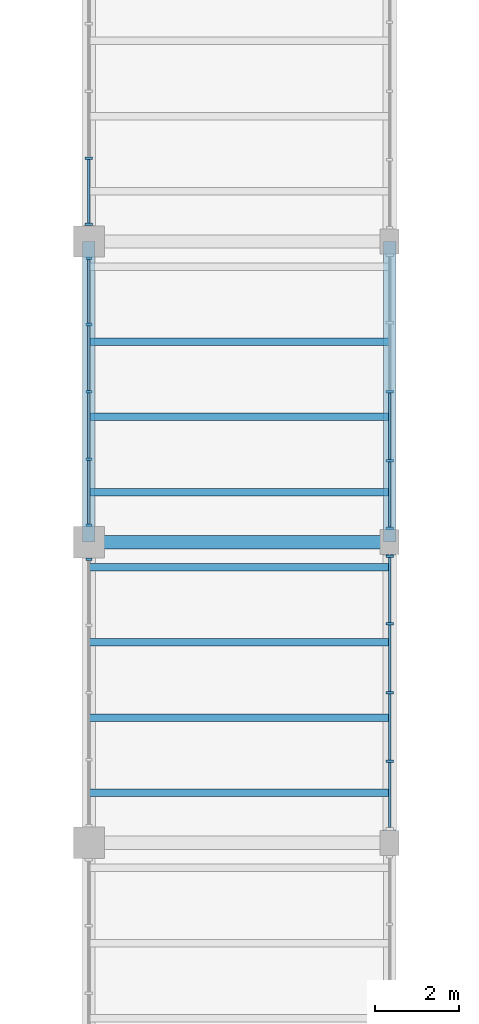
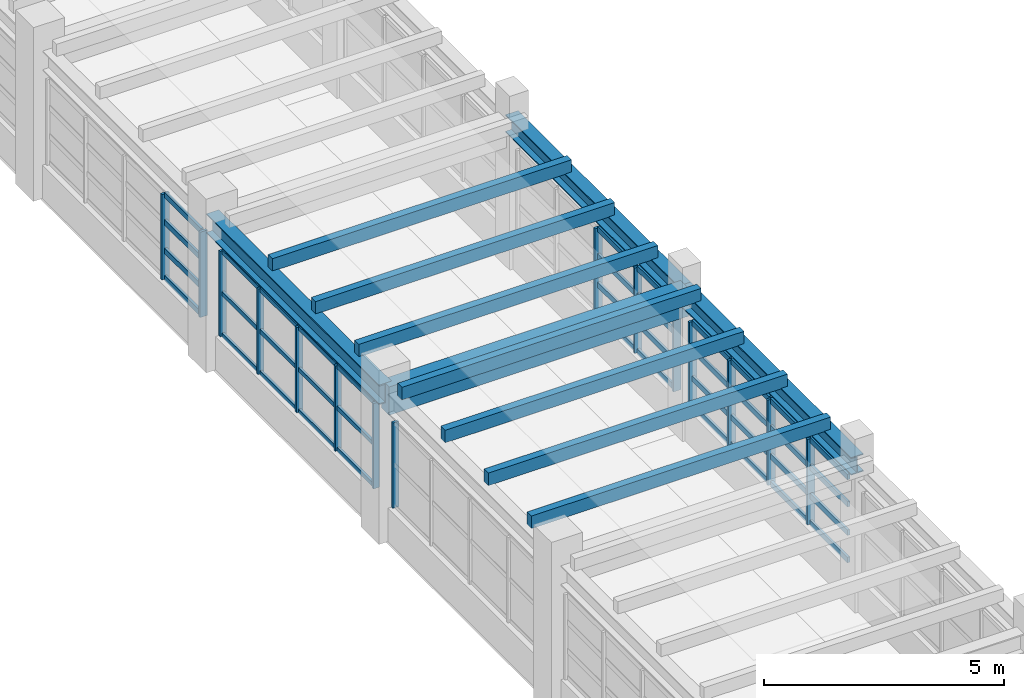
# One storey, part 4 of 69: 62 members, 4 beams, 5 elements without a shape of their own.
"""IFC4 building model written with IfcOpenShell, lengths in metres."""

from ifc_helpers import new_model, si_unit, direction, frame, origin, origin_2d, place, context, subcontext, project, spatial, rectangle, i_section, extrude, material, material_profile, profile_set, type_object, element, aggregate, save


model = new_model("IFC4")

# Units and contexts
model_context = context("Model", 3, precision=1e-05, world=origin(), true_north=direction((0.0, 1.0)))
body_context = subcontext(model_context, "Body", "Model", "MODEL_VIEW")
ifc_project = project(units=[si_unit("LENGTHUNIT", "METRE"), si_unit("AREAUNIT", "SQUARE_METRE"), si_unit("VOLUMEUNIT", "CUBIC_METRE"), si_unit("PLANEANGLEUNIT", "RADIAN"), si_unit("MASSUNIT", "GRAM", prefix="KILO")], contexts=[model_context])

# Site, building, storey
site_placement = place(None, origin())
site = spatial("IfcSite", under=ifc_project, at=site_placement, CompositionType="ELEMENT")
building_placement = place(site_placement, origin())
building = spatial("IfcBuilding", under=site, at=building_placement, Name="Nzembalo Square Collegiate School", CompositionType="ELEMENT")
storey_placement = place(building_placement, frame((0.0, 0.0, 5.10009765625)))
storey = spatial("IfcBuildingStorey", under=building, at=storey_placement, Name="L01", CompositionType="ELEMENT", Elevation=5.10009765625)

# Beams
ifc_material_1 = material(Name="Glulam GL32h", Category="wood")
ifc_material_profile_1 = material_profile(ifc_material_1, rectangle(XDim=0.320068359375, YDim=0.719970703125, at=origin_2d()), Name="GL32h 320x720")
ifc_profile_set_1 = profile_set([ifc_material_profile_1], Name="Glulam GL32h")
beam_type_1 = type_object("IfcBeamType", Name="B03", PredefinedType="BEAM", material=ifc_profile_set_1)
beam_1_placement = place(storey_placement, frame((30.0, 22.800048828125, 3.389892578125), z_axis=(1.0, 0.0, 0.0), x_axis=(0.0, 1.0, 0.0)))
element("IfcBeam", 1, at=beam_1_placement, inside=storey, type_object=beam_type_1, Name="Beam B03 L01", PredefinedType="BEAM", context=body_context, shape_type="SweptSolid", body=[
    extrude(rectangle(XDim=0.320068359375, YDim=0.719970703125, at=origin_2d()), origin(), (0.0, 0.0, 1.0), 7.199951171875),
])
ifc_material_2 = material(Name="Steel S355", Category="steel")
ifc_material_profile_2 = material_profile(ifc_material_2, i_section(OverallWidth=0.300048828125, OverallDepth=0.5, WebThickness=0.014404296875, FlangeThickness=0.028076171875, at=origin_2d()), Name="HEB 500")
ifc_profile_set_2 = profile_set([ifc_material_profile_2], Name="Steel S355")
beam_type_2 = type_object("IfcBeamType", Name="B07", PredefinedType="BEAM", material=ifc_profile_set_2)
beam_2_placement = place(storey_placement, frame((30.0, 22.800048828125, 3.5), z_axis=(0.0, 1.0, 0.0), x_axis=(-1.0, 0.0, 0.0)))
element("IfcBeam", 2, at=beam_2_placement, inside=storey, type_object=beam_type_2, Name="Beam B07 L01", PredefinedType="BEAM", context=body_context, shape_type="SweptSolid", body=[
    extrude(i_section(OverallWidth=0.300048828125, OverallDepth=0.5, WebThickness=0.014404296875, FlangeThickness=0.028076171875, at=origin_2d()), origin(), (0.0, 0.0, 1.0), 7.199951171875),
])
ifc_material_3 = material(Name="Steel S355", Category="steel")
ifc_material_profile_3 = material_profile(ifc_material_3, i_section(OverallWidth=0.300048828125, OverallDepth=0.449951171875, WebThickness=0.013916015625, FlangeThickness=0.02587890625, at=origin_2d()), Name="HEB 450")
ifc_profile_set_3 = profile_set([ifc_material_profile_3], Name="Steel S355")
beam_type_3 = type_object("IfcBeamType", Name="B08", PredefinedType="BEAM", material=ifc_profile_set_3)
for number, where, z_axis, x_axis, name in (
    (3, (37.199951171875, 15.60009765625, 3.52490234375), (0.0, 1.0, 0.0), (-1.0, 0.0, 0.0), "Beam B08 L01"),
    (4, (37.199951171875, 22.800048828125, 3.52490234375), (0.0, 1.0, 0.0), (-1.0, 0.0, 0.0), "Beam B08 L01"),
):
    element("IfcBeam", number, at=place(storey_placement, frame(where, z_axis=z_axis, x_axis=x_axis)), inside=storey, type_object=beam_type_3, Name=name, PredefinedType="BEAM", context=body_context, shape_type="SweptSolid", body=[
        extrude(i_section(OverallWidth=0.300048828125, OverallDepth=0.449951171875, WebThickness=0.013916015625, FlangeThickness=0.02587890625, at=origin_2d()), origin(), (0.0, 0.0, 1.0), 7.199951171875),
    ])

# Curtain wall, members
ifc_material_4 = material(Name="Aluminium 6060-T66", Category="aluminium")
curtain_wall_type_1 = type_object("IfcCurtainWallType", Name="CW-01", PredefinedType="USERDEFINED", material=ifc_material_4)
curtain_wall_1_placement = place(storey_placement, origin())
curtain_wall_1 = element("IfcCurtainWall", 5, at=curtain_wall_1_placement, inside=storey, type_object=curtain_wall_type_1, Name="Curtain wall CW-01 cw:L01:040", ObjectType="UNITISED", PredefinedType="USERDEFINED")
ifc_material_5 = material(Name="Aluminium 6060-T66", Category="aluminium")
ifc_material_profile_4 = material_profile(ifc_material_5, rectangle(XDim=0.06005859375, YDim=0.179931640625, at=origin_2d()), Name="ALU M60x180")
ifc_profile_set_4 = profile_set([ifc_material_profile_4], Name="Aluminium 6060-T66")
member_type_1 = type_object("IfcMemberType", Name="ML01", PredefinedType="MULLION", material=ifc_profile_set_4)
member_1_placement = place(storey_placement, frame((37.199951171875, 17.551025390625, 0.849853515625), z_axis=(0.0, 0.0, 1.0), x_axis=(0.0, 1.0, 0.0)))
member_1 = element("IfcMember", 6, at=member_1_placement, type_object=member_type_1, Name="ML01 mullion 2", PredefinedType="MULLION", context=body_context, shape_type="SweptSolid", body=[
    extrude(rectangle(XDim=0.06005859375, YDim=0.179931640625, at=origin_2d()), origin(), (0.0, 0.0, 1.0), 2.174072265625),
])
member_2_placement = place(storey_placement, frame((37.199951171875, 19.199951171875, 0.849853515625), z_axis=(0.0, 0.0, 1.0), x_axis=(0.0, 1.0, 0.0)))
member_2 = element("IfcMember", 7, at=member_2_placement, type_object=member_type_1, Name="ML01 mullion 3", PredefinedType="MULLION", context=body_context, shape_type="SweptSolid", body=[
    extrude(rectangle(XDim=0.06005859375, YDim=0.179931640625, at=origin_2d()), origin(), (0.0, 0.0, 1.0), 2.174072265625),
])
member_3_placement = place(storey_placement, frame((37.199951171875, 20.84912109375, 0.849853515625), z_axis=(0.0, 0.0, 1.0), x_axis=(0.0, 1.0, 0.0)))
member_3 = element("IfcMember", 8, at=member_3_placement, type_object=member_type_1, Name="ML01 mullion 4", PredefinedType="MULLION", context=body_context, shape_type="SweptSolid", body=[
    extrude(rectangle(XDim=0.06005859375, YDim=0.179931640625, at=origin_2d()), origin(), (0.0, 0.0, 1.0), 2.174072265625),
])
member_4_placement = place(storey_placement, frame((37.199951171875, 22.468017578125, 0.849853515625), z_axis=(0.0, 0.0, 1.0), x_axis=(0.0, 1.0, 0.0)))
member_4 = element("IfcMember", 9, at=member_4_placement, type_object=member_type_1, Name="ML01 mullion 5", PredefinedType="MULLION", context=body_context, shape_type="SweptSolid", body=[
    extrude(rectangle(XDim=0.06005859375, YDim=0.179931640625, at=origin_2d()), origin(), (0.0, 0.0, 1.0), 2.174072265625),
])

ifc_material_6 = material(Name="Aluminium 6060-T66", Category="aluminium")
curtain_wall_type_2 = type_object("IfcCurtainWallType", Name="CW-02", PredefinedType="USERDEFINED", material=ifc_material_6)
curtain_wall_2_placement = place(storey_placement, origin())
curtain_wall_2 = element("IfcCurtainWall", 10, at=curtain_wall_2_placement, inside=storey, type_object=curtain_wall_type_2, Name="Curtain wall CW-02 cw:L01:041", ObjectType="UNITISED", PredefinedType="USERDEFINED")
member_5_placement = place(storey_placement, frame((37.199951171875, 23.132080078125, 0.849853515625), z_axis=(0.0, 0.0, 1.0), x_axis=(0.0, 1.0, 0.0)))
member_5 = element("IfcMember", 11, at=member_5_placement, type_object=member_type_1, Name="ML01 mullion 1", PredefinedType="MULLION", context=body_context, shape_type="SweptSolid", body=[
    extrude(rectangle(XDim=0.06005859375, YDim=0.179931640625, at=origin_2d()), origin(), (0.0, 0.0, 1.0), 2.174072265625),
])
member_6_placement = place(storey_placement, frame((37.199951171875, 24.7509765625, 0.849853515625), z_axis=(0.0, 0.0, 1.0), x_axis=(0.0, 1.0, 0.0)))
member_6 = element("IfcMember", 12, at=member_6_placement, type_object=member_type_1, Name="ML01 mullion 2", PredefinedType="MULLION", context=body_context, shape_type="SweptSolid", body=[
    extrude(rectangle(XDim=0.06005859375, YDim=0.179931640625, at=origin_2d()), origin(), (0.0, 0.0, 1.0), 2.174072265625),
])
member_7_placement = place(storey_placement, frame((37.199951171875, 26.39990234375, 0.849853515625), z_axis=(0.0, 0.0, 1.0), x_axis=(0.0, 1.0, 0.0)))
member_7 = element("IfcMember", 13, at=member_7_placement, type_object=member_type_1, Name="ML01 mullion 3", PredefinedType="MULLION", context=body_context, shape_type="SweptSolid", body=[
    extrude(rectangle(XDim=0.06005859375, YDim=0.179931640625, at=origin_2d()), origin(), (0.0, 0.0, 1.0), 2.174072265625),
])

curtain_wall_3_placement = place(storey_placement, origin())
curtain_wall_3 = element("IfcCurtainWall", 14, at=curtain_wall_3_placement, inside=storey, type_object=curtain_wall_type_1, Name="Curtain wall CW-01 cw:L01:048", ObjectType="UNITISED", PredefinedType="USERDEFINED")
member_8_placement = place(storey_placement, frame((30.0, 30.406982421875, 0.849853515625), z_axis=(0.0, 0.0, 1.0), x_axis=(0.0, 1.0, 0.0)))
member_8 = element("IfcMember", 15, at=member_8_placement, type_object=member_type_1, Name="ML01 mullion 1", PredefinedType="MULLION", context=body_context, shape_type="SweptSolid", body=[
    extrude(rectangle(XDim=0.06005859375, YDim=0.179931640625, at=origin_2d()), origin(), (0.0, 0.0, 1.0), 2.174072265625),
])
member_9_placement = place(storey_placement, frame((30.0, 31.988525390625, 0.849853515625), z_axis=(0.0, 0.0, 1.0), x_axis=(0.0, 1.0, 0.0)))
member_9 = element("IfcMember", 16, at=member_9_placement, type_object=member_type_1, Name="ML01 mullion 2", PredefinedType="MULLION", context=body_context, shape_type="SweptSolid", body=[
    extrude(rectangle(XDim=0.06005859375, YDim=0.179931640625, at=origin_2d()), origin(), (0.0, 0.0, 1.0), 2.174072265625),
])

# Curtain wall, member
ifc_material_7 = material(Name="Aluminium 6060-T66", Category="aluminium")
curtain_wall_type_3 = type_object("IfcCurtainWallType", Name="CW-07", PredefinedType="USERDEFINED", material=ifc_material_7)
curtain_wall_4_placement = place(storey_placement, origin())
curtain_wall_4 = element("IfcCurtainWall", 17, at=curtain_wall_4_placement, inside=storey, type_object=curtain_wall_type_3, Name="Curtain wall CW-07 cw:L01:046", ObjectType="LANCET", PredefinedType="USERDEFINED")
ifc_material_8 = material(Name="Aluminium 6060-T66", Category="aluminium")
ifc_material_profile_5 = material_profile(ifc_material_8, rectangle(XDim=0.06005859375, YDim=0.14990234375, at=origin_2d()), Name="ALU M60x150")
ifc_profile_set_5 = profile_set([ifc_material_profile_5], Name="Aluminium 6060-T66")
member_type_2 = type_object("IfcMemberType", Name="ML02", PredefinedType="MULLION", material=ifc_profile_set_5)
member_10_placement = place(storey_placement, frame((30.0, 22.39306640625, 0.849853515625), z_axis=(0.0, 0.0, 1.0), x_axis=(0.0, 1.0, 0.0)))
member_10 = element("IfcMember", 18, at=member_10_placement, type_object=member_type_2, Name="ML02 mullion 5", PredefinedType="MULLION", context=body_context, shape_type="SweptSolid", body=[
    extrude(rectangle(XDim=0.06005859375, YDim=0.14990234375, at=origin_2d()), origin(), (0.0, 0.0, 1.0), 2.174072265625),
])
aggregate(curtain_wall_4, [member_10])

# Curtain wall, members
ifc_material_9 = material(Name="Aluminium 6060-T66", Category="aluminium")
curtain_wall_type_4 = type_object("IfcCurtainWallType", Name="CW-08", PredefinedType="USERDEFINED", material=ifc_material_9)
curtain_wall_5_placement = place(storey_placement, origin())
curtain_wall_5 = element("IfcCurtainWall", 19, at=curtain_wall_5_placement, inside=storey, type_object=curtain_wall_type_4, Name="Curtain wall CW-08 cw:L01:047", ObjectType="LANCET", PredefinedType="USERDEFINED")
member_11_placement = place(storey_placement, frame((30.0, 23.20703125, 0.849853515625), z_axis=(0.0, 0.0, 1.0), x_axis=(0.0, 1.0, 0.0)))
member_11 = element("IfcMember", 20, at=member_11_placement, type_object=member_type_2, Name="ML02 mullion 1", PredefinedType="MULLION", context=body_context, shape_type="SweptSolid", body=[
    extrude(rectangle(XDim=0.06005859375, YDim=0.14990234375, at=origin_2d()), origin(), (0.0, 0.0, 1.0), 2.174072265625),
])
member_12_placement = place(storey_placement, frame((30.0, 24.78857421875, 0.849853515625), z_axis=(0.0, 0.0, 1.0), x_axis=(0.0, 1.0, 0.0)))
member_12 = element("IfcMember", 21, at=member_12_placement, type_object=member_type_2, Name="ML02 mullion 2", PredefinedType="MULLION", context=body_context, shape_type="SweptSolid", body=[
    extrude(rectangle(XDim=0.06005859375, YDim=0.14990234375, at=origin_2d()), origin(), (0.0, 0.0, 1.0), 2.174072265625),
])
member_13_placement = place(storey_placement, frame((30.0, 26.39990234375, 0.849853515625), z_axis=(0.0, 0.0, 1.0), x_axis=(0.0, 1.0, 0.0)))
member_13 = element("IfcMember", 22, at=member_13_placement, type_object=member_type_2, Name="ML02 mullion 3", PredefinedType="MULLION", context=body_context, shape_type="SweptSolid", body=[
    extrude(rectangle(XDim=0.06005859375, YDim=0.14990234375, at=origin_2d()), origin(), (0.0, 0.0, 1.0), 2.174072265625),
])
member_14_placement = place(storey_placement, frame((30.0, 28.011474609375, 0.849853515625), z_axis=(0.0, 0.0, 1.0), x_axis=(0.0, 1.0, 0.0)))
member_14 = element("IfcMember", 23, at=member_14_placement, type_object=member_type_2, Name="ML02 mullion 4", PredefinedType="MULLION", context=body_context, shape_type="SweptSolid", body=[
    extrude(rectangle(XDim=0.06005859375, YDim=0.14990234375, at=origin_2d()), origin(), (0.0, 0.0, 1.0), 2.174072265625),
])
member_15_placement = place(storey_placement, frame((30.0, 29.593017578125, 0.849853515625), z_axis=(0.0, 0.0, 1.0), x_axis=(0.0, 1.0, 0.0)))
member_15 = element("IfcMember", 24, at=member_15_placement, type_object=member_type_2, Name="ML02 mullion 5", PredefinedType="MULLION", context=body_context, shape_type="SweptSolid", body=[
    extrude(rectangle(XDim=0.06005859375, YDim=0.14990234375, at=origin_2d()), origin(), (0.0, 0.0, 1.0), 2.174072265625),
])

# Member
ifc_material_10 = material(Name="Aluminium 6060-T66", Category="aluminium")
ifc_material_profile_6 = material_profile(ifc_material_10, rectangle(XDim=0.06005859375, YDim=0.139892578125, at=origin_2d()), Name="ALU T60x140")
ifc_profile_set_6 = profile_set([ifc_material_profile_6], Name="Aluminium 6060-T66")
member_type_3 = type_object("IfcMemberType", Name="TR01", PredefinedType="USERDEFINED", material=ifc_profile_set_6)
member_16_placement = place(storey_placement, frame((37.199951171875, 15.9619140625, 0.8798828125), z_axis=(0.0, 1.0, 0.0), x_axis=(-1.0, 0.0, 0.0)))
member_16 = element("IfcMember", 25, at=member_16_placement, type_object=member_type_3, Name="TR01 transom 1-1", ObjectType="TRANSOM", PredefinedType="USERDEFINED", context=body_context, shape_type="SweptSolid", body=[
    extrude(rectangle(XDim=0.06005859375, YDim=0.139892578125, at=origin_2d()), origin(), (0.0, 0.0, 1.0), 1.55908203125),
])

member_17_placement = place(storey_placement, frame((37.199951171875, 17.5810546875, 0.8798828125), z_axis=(0.0, 1.0, 0.0), x_axis=(-1.0, 0.0, 0.0)))
member_17 = element("IfcMember", 26, at=member_17_placement, type_object=member_type_3, Name="TR01 transom 1-2", ObjectType="TRANSOM", PredefinedType="USERDEFINED", context=body_context, shape_type="SweptSolid", body=[
    extrude(rectangle(XDim=0.06005859375, YDim=0.139892578125, at=origin_2d()), origin(), (0.0, 0.0, 1.0), 1.5888671875),
])

member_18_placement = place(storey_placement, frame((37.199951171875, 19.22998046875, 0.8798828125), z_axis=(0.0, 1.0, 0.0), x_axis=(-1.0, 0.0, 0.0)))
member_18 = element("IfcMember", 27, at=member_18_placement, type_object=member_type_3, Name="TR01 transom 1-3", ObjectType="TRANSOM", PredefinedType="USERDEFINED", context=body_context, shape_type="SweptSolid", body=[
    extrude(rectangle(XDim=0.06005859375, YDim=0.139892578125, at=origin_2d()), origin(), (0.0, 0.0, 1.0), 1.589111328125),
])

member_19_placement = place(storey_placement, frame((37.199951171875, 20.87890625, 0.8798828125), z_axis=(0.0, 1.0, 0.0), x_axis=(-1.0, 0.0, 0.0)))
member_19 = element("IfcMember", 28, at=member_19_placement, type_object=member_type_3, Name="TR01 transom 1-4", ObjectType="TRANSOM", PredefinedType="USERDEFINED", context=body_context, shape_type="SweptSolid", body=[
    extrude(rectangle(XDim=0.06005859375, YDim=0.139892578125, at=origin_2d()), origin(), (0.0, 0.0, 1.0), 1.55908203125),
])

member_20_placement = place(storey_placement, frame((37.199951171875, 15.9619140625, 1.574462890625), z_axis=(0.0, 1.0, 0.0), x_axis=(-1.0, 0.0, 0.0)))
member_20 = element("IfcMember", 29, at=member_20_placement, type_object=member_type_3, Name="TR01 transom 2-1", ObjectType="TRANSOM", PredefinedType="USERDEFINED", context=body_context, shape_type="SweptSolid", body=[
    extrude(rectangle(XDim=0.06005859375, YDim=0.139892578125, at=origin_2d()), origin(), (0.0, 0.0, 1.0), 1.55908203125),
])

member_21_placement = place(storey_placement, frame((37.199951171875, 17.5810546875, 1.574462890625), z_axis=(0.0, 1.0, 0.0), x_axis=(-1.0, 0.0, 0.0)))
member_21 = element("IfcMember", 30, at=member_21_placement, type_object=member_type_3, Name="TR01 transom 2-2", ObjectType="TRANSOM", PredefinedType="USERDEFINED", context=body_context, shape_type="SweptSolid", body=[
    extrude(rectangle(XDim=0.06005859375, YDim=0.139892578125, at=origin_2d()), origin(), (0.0, 0.0, 1.0), 1.5888671875),
])

member_22_placement = place(storey_placement, frame((37.199951171875, 19.22998046875, 1.574462890625), z_axis=(0.0, 1.0, 0.0), x_axis=(-1.0, 0.0, 0.0)))
member_22 = element("IfcMember", 31, at=member_22_placement, type_object=member_type_3, Name="TR01 transom 2-3", ObjectType="TRANSOM", PredefinedType="USERDEFINED", context=body_context, shape_type="SweptSolid", body=[
    extrude(rectangle(XDim=0.06005859375, YDim=0.139892578125, at=origin_2d()), origin(), (0.0, 0.0, 1.0), 1.589111328125),
])

member_23_placement = place(storey_placement, frame((37.199951171875, 20.87890625, 1.574462890625), z_axis=(0.0, 1.0, 0.0), x_axis=(-1.0, 0.0, 0.0)))
member_23 = element("IfcMember", 32, at=member_23_placement, type_object=member_type_3, Name="TR01 transom 2-4", ObjectType="TRANSOM", PredefinedType="USERDEFINED", context=body_context, shape_type="SweptSolid", body=[
    extrude(rectangle(XDim=0.06005859375, YDim=0.139892578125, at=origin_2d()), origin(), (0.0, 0.0, 1.0), 1.55908203125),
])

member_24_placement = place(storey_placement, frame((37.199951171875, 15.9619140625, 2.29931640625), z_axis=(0.0, 1.0, 0.0), x_axis=(-1.0, 0.0, 0.0)))
member_24 = element("IfcMember", 33, at=member_24_placement, type_object=member_type_3, Name="TR01 transom 3-1", ObjectType="TRANSOM", PredefinedType="USERDEFINED", context=body_context, shape_type="SweptSolid", body=[
    extrude(rectangle(XDim=0.06005859375, YDim=0.139892578125, at=origin_2d()), origin(), (0.0, 0.0, 1.0), 1.55908203125),
])

member_25_placement = place(storey_placement, frame((37.199951171875, 17.5810546875, 2.29931640625), z_axis=(0.0, 1.0, 0.0), x_axis=(-1.0, 0.0, 0.0)))
member_25 = element("IfcMember", 34, at=member_25_placement, type_object=member_type_3, Name="TR01 transom 3-2", ObjectType="TRANSOM", PredefinedType="USERDEFINED", context=body_context, shape_type="SweptSolid", body=[
    extrude(rectangle(XDim=0.06005859375, YDim=0.139892578125, at=origin_2d()), origin(), (0.0, 0.0, 1.0), 1.5888671875),
])

member_26_placement = place(storey_placement, frame((37.199951171875, 19.22998046875, 2.29931640625), z_axis=(0.0, 1.0, 0.0), x_axis=(-1.0, 0.0, 0.0)))
member_26 = element("IfcMember", 35, at=member_26_placement, type_object=member_type_3, Name="TR01 transom 3-3", ObjectType="TRANSOM", PredefinedType="USERDEFINED", context=body_context, shape_type="SweptSolid", body=[
    extrude(rectangle(XDim=0.06005859375, YDim=0.139892578125, at=origin_2d()), origin(), (0.0, 0.0, 1.0), 1.589111328125),
])

member_27_placement = place(storey_placement, frame((37.199951171875, 20.87890625, 2.29931640625), z_axis=(0.0, 1.0, 0.0), x_axis=(-1.0, 0.0, 0.0)))
member_27 = element("IfcMember", 36, at=member_27_placement, type_object=member_type_3, Name="TR01 transom 3-4", ObjectType="TRANSOM", PredefinedType="USERDEFINED", context=body_context, shape_type="SweptSolid", body=[
    extrude(rectangle(XDim=0.06005859375, YDim=0.139892578125, at=origin_2d()), origin(), (0.0, 0.0, 1.0), 1.55908203125),
])

member_28_placement = place(storey_placement, frame((37.199951171875, 15.9619140625, 2.993896484375), z_axis=(0.0, 1.0, 0.0), x_axis=(-1.0, 0.0, 0.0)))
member_28 = element("IfcMember", 37, at=member_28_placement, type_object=member_type_3, Name="TR01 transom 4-1", ObjectType="TRANSOM", PredefinedType="USERDEFINED", context=body_context, shape_type="SweptSolid", body=[
    extrude(rectangle(XDim=0.06005859375, YDim=0.139892578125, at=origin_2d()), origin(), (0.0, 0.0, 1.0), 1.55908203125),
])

member_29_placement = place(storey_placement, frame((37.199951171875, 17.5810546875, 2.993896484375), z_axis=(0.0, 1.0, 0.0), x_axis=(-1.0, 0.0, 0.0)))
member_29 = element("IfcMember", 38, at=member_29_placement, type_object=member_type_3, Name="TR01 transom 4-2", ObjectType="TRANSOM", PredefinedType="USERDEFINED", context=body_context, shape_type="SweptSolid", body=[
    extrude(rectangle(XDim=0.06005859375, YDim=0.139892578125, at=origin_2d()), origin(), (0.0, 0.0, 1.0), 1.5888671875),
])

member_30_placement = place(storey_placement, frame((37.199951171875, 19.22998046875, 2.993896484375), z_axis=(0.0, 1.0, 0.0), x_axis=(-1.0, 0.0, 0.0)))
member_30 = element("IfcMember", 39, at=member_30_placement, type_object=member_type_3, Name="TR01 transom 4-3", ObjectType="TRANSOM", PredefinedType="USERDEFINED", context=body_context, shape_type="SweptSolid", body=[
    extrude(rectangle(XDim=0.06005859375, YDim=0.139892578125, at=origin_2d()), origin(), (0.0, 0.0, 1.0), 1.589111328125),
])

member_31_placement = place(storey_placement, frame((37.199951171875, 20.87890625, 2.993896484375), z_axis=(0.0, 1.0, 0.0), x_axis=(-1.0, 0.0, 0.0)))
member_31 = element("IfcMember", 40, at=member_31_placement, type_object=member_type_3, Name="TR01 transom 4-4", ObjectType="TRANSOM", PredefinedType="USERDEFINED", context=body_context, shape_type="SweptSolid", body=[
    extrude(rectangle(XDim=0.06005859375, YDim=0.139892578125, at=origin_2d()), origin(), (0.0, 0.0, 1.0), 1.55908203125),
])

aggregate(curtain_wall_1, [member_1, member_2, member_3, member_4, member_16, member_17, member_18, member_19, member_20, member_21, member_22, member_23, member_24, member_25, member_26, member_27, member_28, member_29, member_30, member_31])

member_32_placement = place(storey_placement, frame((37.199951171875, 23.162109375, 0.8798828125), z_axis=(0.0, 1.0, 0.0), x_axis=(-1.0, 0.0, 0.0)))
member_32 = element("IfcMember", 41, at=member_32_placement, type_object=member_type_3, Name="TR01 transom 1-1", ObjectType="TRANSOM", PredefinedType="USERDEFINED", context=body_context, shape_type="SweptSolid", body=[
    extrude(rectangle(XDim=0.06005859375, YDim=0.139892578125, at=origin_2d()), origin(), (0.0, 0.0, 1.0), 1.558837890625),
])

member_33_placement = place(storey_placement, frame((37.199951171875, 24.781005859375, 0.8798828125), z_axis=(0.0, 1.0, 0.0), x_axis=(-1.0, 0.0, 0.0)))
member_33 = element("IfcMember", 42, at=member_33_placement, type_object=member_type_3, Name="TR01 transom 1-2", ObjectType="TRANSOM", PredefinedType="USERDEFINED", context=body_context, shape_type="SweptSolid", body=[
    extrude(rectangle(XDim=0.06005859375, YDim=0.139892578125, at=origin_2d()), origin(), (0.0, 0.0, 1.0), 1.589111328125),
])

member_34_placement = place(storey_placement, frame((37.199951171875, 23.162109375, 1.574462890625), z_axis=(0.0, 1.0, 0.0), x_axis=(-1.0, 0.0, 0.0)))
member_34 = element("IfcMember", 43, at=member_34_placement, type_object=member_type_3, Name="TR01 transom 2-1", ObjectType="TRANSOM", PredefinedType="USERDEFINED", context=body_context, shape_type="SweptSolid", body=[
    extrude(rectangle(XDim=0.06005859375, YDim=0.139892578125, at=origin_2d()), origin(), (0.0, 0.0, 1.0), 1.558837890625),
])

member_35_placement = place(storey_placement, frame((37.199951171875, 24.781005859375, 1.574462890625), z_axis=(0.0, 1.0, 0.0), x_axis=(-1.0, 0.0, 0.0)))
member_35 = element("IfcMember", 44, at=member_35_placement, type_object=member_type_3, Name="TR01 transom 2-2", ObjectType="TRANSOM", PredefinedType="USERDEFINED", context=body_context, shape_type="SweptSolid", body=[
    extrude(rectangle(XDim=0.06005859375, YDim=0.139892578125, at=origin_2d()), origin(), (0.0, 0.0, 1.0), 1.589111328125),
])

member_36_placement = place(storey_placement, frame((37.199951171875, 23.162109375, 2.29931640625), z_axis=(0.0, 1.0, 0.0), x_axis=(-1.0, 0.0, 0.0)))
member_36 = element("IfcMember", 45, at=member_36_placement, type_object=member_type_3, Name="TR01 transom 3-1", ObjectType="TRANSOM", PredefinedType="USERDEFINED", context=body_context, shape_type="SweptSolid", body=[
    extrude(rectangle(XDim=0.06005859375, YDim=0.139892578125, at=origin_2d()), origin(), (0.0, 0.0, 1.0), 1.558837890625),
])

member_37_placement = place(storey_placement, frame((37.199951171875, 24.781005859375, 2.29931640625), z_axis=(0.0, 1.0, 0.0), x_axis=(-1.0, 0.0, 0.0)))
member_37 = element("IfcMember", 46, at=member_37_placement, type_object=member_type_3, Name="TR01 transom 3-2", ObjectType="TRANSOM", PredefinedType="USERDEFINED", context=body_context, shape_type="SweptSolid", body=[
    extrude(rectangle(XDim=0.06005859375, YDim=0.139892578125, at=origin_2d()), origin(), (0.0, 0.0, 1.0), 1.589111328125),
])

member_38_placement = place(storey_placement, frame((37.199951171875, 23.162109375, 2.993896484375), z_axis=(0.0, 1.0, 0.0), x_axis=(-1.0, 0.0, 0.0)))
member_38 = element("IfcMember", 47, at=member_38_placement, type_object=member_type_3, Name="TR01 transom 4-1", ObjectType="TRANSOM", PredefinedType="USERDEFINED", context=body_context, shape_type="SweptSolid", body=[
    extrude(rectangle(XDim=0.06005859375, YDim=0.139892578125, at=origin_2d()), origin(), (0.0, 0.0, 1.0), 1.558837890625),
])

member_39_placement = place(storey_placement, frame((37.199951171875, 24.781005859375, 2.993896484375), z_axis=(0.0, 1.0, 0.0), x_axis=(-1.0, 0.0, 0.0)))
member_39 = element("IfcMember", 48, at=member_39_placement, type_object=member_type_3, Name="TR01 transom 4-2", ObjectType="TRANSOM", PredefinedType="USERDEFINED", context=body_context, shape_type="SweptSolid", body=[
    extrude(rectangle(XDim=0.06005859375, YDim=0.139892578125, at=origin_2d()), origin(), (0.0, 0.0, 1.0), 1.589111328125),
])

aggregate(curtain_wall_2, [member_5, member_6, member_7, member_32, member_33, member_34, member_35, member_36, member_37, member_38, member_39])

member_40_placement = place(storey_placement, frame((30.0, 30.43701171875, 0.8798828125), z_axis=(0.0, 1.0, 0.0), x_axis=(-1.0, 0.0, 0.0)))
member_40 = element("IfcMember", 49, at=member_40_placement, type_object=member_type_3, Name="TR01 transom 1-1", ObjectType="TRANSOM", PredefinedType="USERDEFINED", context=body_context, shape_type="SweptSolid", body=[
    extrude(rectangle(XDim=0.06005859375, YDim=0.139892578125, at=origin_2d()), origin(), (0.0, 0.0, 1.0), 1.521484375),
])

member_41_placement = place(storey_placement, frame((30.0, 30.43701171875, 1.574462890625), z_axis=(0.0, 1.0, 0.0), x_axis=(-1.0, 0.0, 0.0)))
member_41 = element("IfcMember", 50, at=member_41_placement, type_object=member_type_3, Name="TR01 transom 2-1", ObjectType="TRANSOM", PredefinedType="USERDEFINED", context=body_context, shape_type="SweptSolid", body=[
    extrude(rectangle(XDim=0.06005859375, YDim=0.139892578125, at=origin_2d()), origin(), (0.0, 0.0, 1.0), 1.521484375),
])

member_42_placement = place(storey_placement, frame((30.0, 30.43701171875, 2.29931640625), z_axis=(0.0, 1.0, 0.0), x_axis=(-1.0, 0.0, 0.0)))
member_42 = element("IfcMember", 51, at=member_42_placement, type_object=member_type_3, Name="TR01 transom 3-1", ObjectType="TRANSOM", PredefinedType="USERDEFINED", context=body_context, shape_type="SweptSolid", body=[
    extrude(rectangle(XDim=0.06005859375, YDim=0.139892578125, at=origin_2d()), origin(), (0.0, 0.0, 1.0), 1.521484375),
])

member_43_placement = place(storey_placement, frame((30.0, 30.43701171875, 2.993896484375), z_axis=(0.0, 1.0, 0.0), x_axis=(-1.0, 0.0, 0.0)))
member_43 = element("IfcMember", 52, at=member_43_placement, type_object=member_type_3, Name="TR01 transom 4-1", ObjectType="TRANSOM", PredefinedType="USERDEFINED", context=body_context, shape_type="SweptSolid", body=[
    extrude(rectangle(XDim=0.06005859375, YDim=0.139892578125, at=origin_2d()), origin(), (0.0, 0.0, 1.0), 1.521484375),
])

aggregate(curtain_wall_3, [member_8, member_9, member_40, member_41, member_42, member_43])

ifc_material_11 = material(Name="Aluminium 6060-T66", Category="aluminium")
ifc_material_profile_7 = material_profile(ifc_material_11, rectangle(XDim=0.06005859375, YDim=0.110107421875, at=origin_2d()), Name="ALU T60x110")
ifc_profile_set_7 = profile_set([ifc_material_profile_7], Name="Aluminium 6060-T66")
member_type_4 = type_object("IfcMemberType", Name="TR02", PredefinedType="USERDEFINED", material=ifc_profile_set_7)
member_44_placement = place(storey_placement, frame((30.0, 23.237060546875, 0.8798828125), z_axis=(0.0, 1.0, 0.0), x_axis=(-1.0, 0.0, 0.0)))
member_44 = element("IfcMember", 53, at=member_44_placement, type_object=member_type_4, Name="TR02 transom 1-1", ObjectType="TRANSOM", PredefinedType="USERDEFINED", context=body_context, shape_type="SweptSolid", body=[
    extrude(rectangle(XDim=0.06005859375, YDim=0.110107421875, at=origin_2d()), origin(), (0.0, 0.0, 1.0), 1.521484375),
])

member_45_placement = place(storey_placement, frame((30.0, 24.818603515625, 0.8798828125), z_axis=(0.0, 1.0, 0.0), x_axis=(-1.0, 0.0, 0.0)))
member_45 = element("IfcMember", 54, at=member_45_placement, type_object=member_type_4, Name="TR02 transom 1-2", ObjectType="TRANSOM", PredefinedType="USERDEFINED", context=body_context, shape_type="SweptSolid", body=[
    extrude(rectangle(XDim=0.06005859375, YDim=0.110107421875, at=origin_2d()), origin(), (0.0, 0.0, 1.0), 1.551513671875),
])

member_46_placement = place(storey_placement, frame((30.0, 26.429931640625, 0.8798828125), z_axis=(0.0, 1.0, 0.0), x_axis=(-1.0, 0.0, 0.0)))
member_46 = element("IfcMember", 55, at=member_46_placement, type_object=member_type_4, Name="TR02 transom 1-3", ObjectType="TRANSOM", PredefinedType="USERDEFINED", context=body_context, shape_type="SweptSolid", body=[
    extrude(rectangle(XDim=0.06005859375, YDim=0.110107421875, at=origin_2d()), origin(), (0.0, 0.0, 1.0), 1.551513671875),
])

member_47_placement = place(storey_placement, frame((30.0, 28.04150390625, 0.8798828125), z_axis=(0.0, 1.0, 0.0), x_axis=(-1.0, 0.0, 0.0)))
member_47 = element("IfcMember", 56, at=member_47_placement, type_object=member_type_4, Name="TR02 transom 1-4", ObjectType="TRANSOM", PredefinedType="USERDEFINED", context=body_context, shape_type="SweptSolid", body=[
    extrude(rectangle(XDim=0.06005859375, YDim=0.110107421875, at=origin_2d()), origin(), (0.0, 0.0, 1.0), 1.521484375),
])

member_48_placement = place(storey_placement, frame((30.0, 23.237060546875, 1.93701171875), z_axis=(0.0, 1.0, 0.0), x_axis=(-1.0, 0.0, 0.0)))
member_48 = element("IfcMember", 57, at=member_48_placement, type_object=member_type_4, Name="TR02 transom 2-1", ObjectType="TRANSOM", PredefinedType="USERDEFINED", context=body_context, shape_type="SweptSolid", body=[
    extrude(rectangle(XDim=0.06005859375, YDim=0.110107421875, at=origin_2d()), origin(), (0.0, 0.0, 1.0), 1.521484375),
])

member_49_placement = place(storey_placement, frame((30.0, 24.818603515625, 1.93701171875), z_axis=(0.0, 1.0, 0.0), x_axis=(-1.0, 0.0, 0.0)))
member_49 = element("IfcMember", 58, at=member_49_placement, type_object=member_type_4, Name="TR02 transom 2-2", ObjectType="TRANSOM", PredefinedType="USERDEFINED", context=body_context, shape_type="SweptSolid", body=[
    extrude(rectangle(XDim=0.06005859375, YDim=0.110107421875, at=origin_2d()), origin(), (0.0, 0.0, 1.0), 1.551513671875),
])

member_50_placement = place(storey_placement, frame((30.0, 26.429931640625, 1.93701171875), z_axis=(0.0, 1.0, 0.0), x_axis=(-1.0, 0.0, 0.0)))
member_50 = element("IfcMember", 59, at=member_50_placement, type_object=member_type_4, Name="TR02 transom 2-3", ObjectType="TRANSOM", PredefinedType="USERDEFINED", context=body_context, shape_type="SweptSolid", body=[
    extrude(rectangle(XDim=0.06005859375, YDim=0.110107421875, at=origin_2d()), origin(), (0.0, 0.0, 1.0), 1.551513671875),
])

member_51_placement = place(storey_placement, frame((30.0, 28.04150390625, 1.93701171875), z_axis=(0.0, 1.0, 0.0), x_axis=(-1.0, 0.0, 0.0)))
member_51 = element("IfcMember", 60, at=member_51_placement, type_object=member_type_4, Name="TR02 transom 2-4", ObjectType="TRANSOM", PredefinedType="USERDEFINED", context=body_context, shape_type="SweptSolid", body=[
    extrude(rectangle(XDim=0.06005859375, YDim=0.110107421875, at=origin_2d()), origin(), (0.0, 0.0, 1.0), 1.521484375),
])

member_52_placement = place(storey_placement, frame((30.0, 23.237060546875, 2.993896484375), z_axis=(0.0, 1.0, 0.0), x_axis=(-1.0, 0.0, 0.0)))
member_52 = element("IfcMember", 61, at=member_52_placement, type_object=member_type_4, Name="TR02 transom 3-1", ObjectType="TRANSOM", PredefinedType="USERDEFINED", context=body_context, shape_type="SweptSolid", body=[
    extrude(rectangle(XDim=0.06005859375, YDim=0.110107421875, at=origin_2d()), origin(), (0.0, 0.0, 1.0), 1.521484375),
])

member_53_placement = place(storey_placement, frame((30.0, 24.818603515625, 2.993896484375), z_axis=(0.0, 1.0, 0.0), x_axis=(-1.0, 0.0, 0.0)))
member_53 = element("IfcMember", 62, at=member_53_placement, type_object=member_type_4, Name="TR02 transom 3-2", ObjectType="TRANSOM", PredefinedType="USERDEFINED", context=body_context, shape_type="SweptSolid", body=[
    extrude(rectangle(XDim=0.06005859375, YDim=0.110107421875, at=origin_2d()), origin(), (0.0, 0.0, 1.0), 1.551513671875),
])

member_54_placement = place(storey_placement, frame((30.0, 26.429931640625, 2.993896484375), z_axis=(0.0, 1.0, 0.0), x_axis=(-1.0, 0.0, 0.0)))
member_54 = element("IfcMember", 63, at=member_54_placement, type_object=member_type_4, Name="TR02 transom 3-3", ObjectType="TRANSOM", PredefinedType="USERDEFINED", context=body_context, shape_type="SweptSolid", body=[
    extrude(rectangle(XDim=0.06005859375, YDim=0.110107421875, at=origin_2d()), origin(), (0.0, 0.0, 1.0), 1.551513671875),
])

member_55_placement = place(storey_placement, frame((30.0, 28.04150390625, 2.993896484375), z_axis=(0.0, 1.0, 0.0), x_axis=(-1.0, 0.0, 0.0)))
member_55 = element("IfcMember", 64, at=member_55_placement, type_object=member_type_4, Name="TR02 transom 3-4", ObjectType="TRANSOM", PredefinedType="USERDEFINED", context=body_context, shape_type="SweptSolid", body=[
    extrude(rectangle(XDim=0.06005859375, YDim=0.110107421875, at=origin_2d()), origin(), (0.0, 0.0, 1.0), 1.521484375),
])

aggregate(curtain_wall_5, [member_11, member_12, member_13, member_14, member_15, member_44, member_45, member_46, member_47, member_48, member_49, member_50, member_51, member_52, member_53, member_54, member_55])

# Members
ifc_material_12 = material(Name="Glulam GL28h", Category="wood")
ifc_material_profile_8 = material_profile(ifc_material_12, rectangle(XDim=0.179931640625, YDim=0.320068359375, at=origin_2d()), Name="GL28h 180x320")
ifc_profile_set_8 = profile_set([ifc_material_profile_8], Name="Glulam GL28h")
member_type_5 = type_object("IfcMemberType", Name="PR01", PredefinedType="PURLIN", material=ifc_profile_set_8)
for number, where, z_axis, x_axis, name in (
    (65, (30.0, 16.800048828125, 3.89990234375), (1.0, 0.0, 0.0), (0.0, 1.0, 0.0), "Planted roof purlin PR01-GA-05"),
    (66, (30.0, 18.60009765625, 3.89990234375), (1.0, 0.0, 0.0), (0.0, 1.0, 0.0), "Planted roof purlin PR01-GA-06"),
    (67, (30.0, 20.39990234375, 3.89990234375), (1.0, 0.0, 0.0), (0.0, 1.0, 0.0), "Planted roof purlin PR01-GA-07"),
    (68, (30.0, 22.199951171875, 3.89990234375), (1.0, 0.0, 0.0), (0.0, 1.0, 0.0), "Planted roof purlin PR01-GA-08"),
    (69, (30.0, 24.0, 3.89990234375), (1.0, 0.0, 0.0), (0.0, 1.0, 0.0), "Planted roof purlin PR01-GA-09"),
    (70, (30.0, 25.800048828125, 3.89990234375), (1.0, 0.0, 0.0), (0.0, 1.0, 0.0), "Planted roof purlin PR01-GA-10"),
    (71, (30.0, 27.60009765625, 3.89990234375), (1.0, 0.0, 0.0), (0.0, 1.0, 0.0), "Planted roof purlin PR01-GA-11"),
):
    element("IfcMember", number, at=place(storey_placement, frame(where, z_axis=z_axis, x_axis=x_axis)), inside=storey, type_object=member_type_5, Name=name, PredefinedType="PURLIN", context=body_context, shape_type="SweptSolid", body=[
        extrude(rectangle(XDim=0.179931640625, YDim=0.320068359375, at=origin_2d()), origin(), (0.0, 0.0, 1.0), 7.199951171875),
    ])

save(model, "model.ifc")
